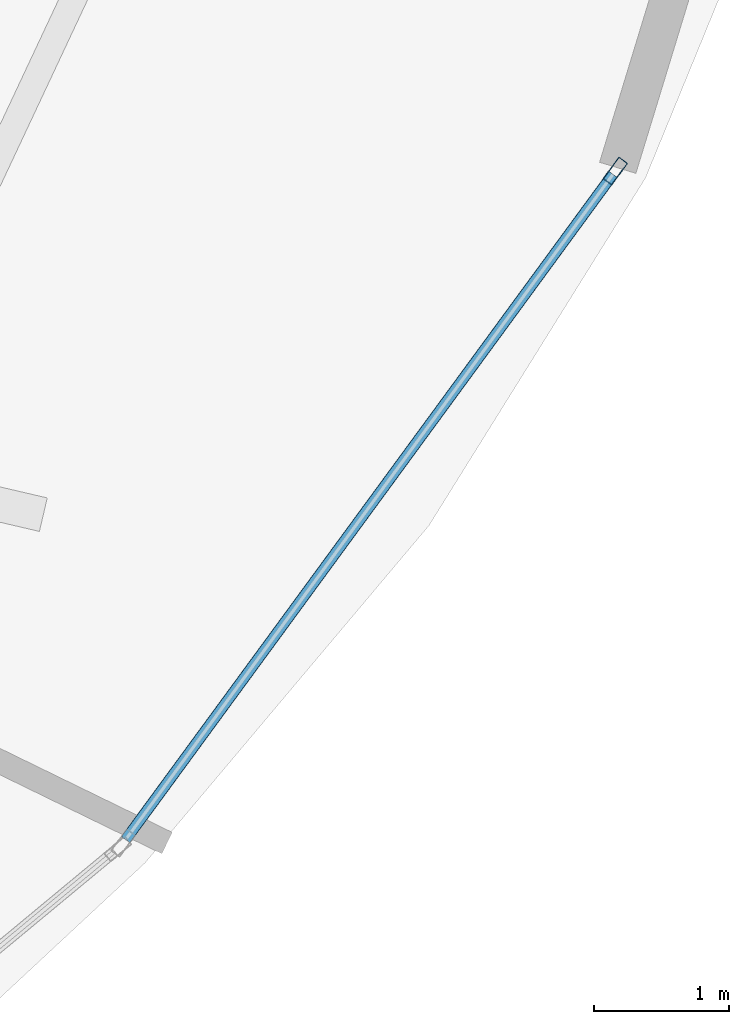
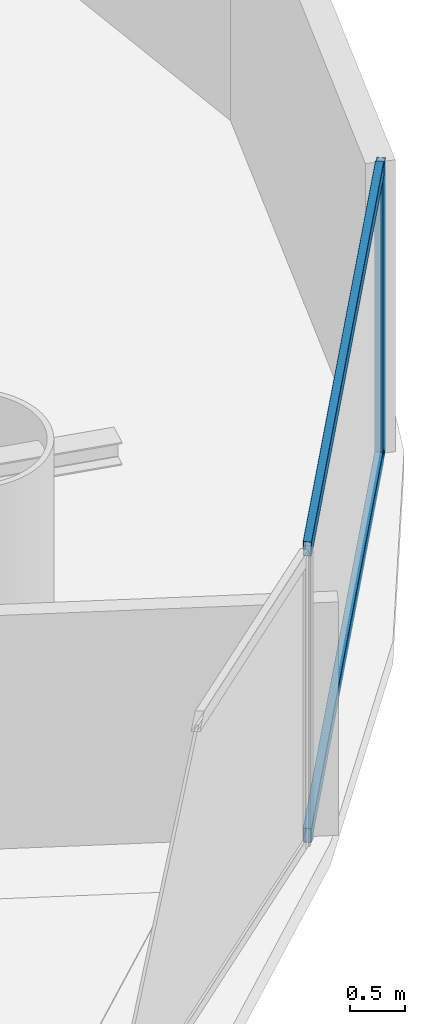
# One storey, part 8 of 20: 3 members, 1 element without a shape of its own.
"""IFC4 building model written with IfcOpenShell, lengths in metres."""

import ifcopenshell
import ifcopenshell.guid

model = None  # the IFC model being written
_history = None  # IfcOwnerHistory: only IFC2X3 demands one
_inside = {}  # id of a spatial element -> (the spatial element, [elements in it])
_under = {}  # id of a project, library or spatial element -> (it, [spatial elements below it])
_declared = {}  # id of a project -> (the project, [libraries it declares])
_typed = {}  # id of a type object -> (the type object, [elements of that type])
_made_of = {}  # id of a material, layer set ... -> (it, [elements and type objects made of it])


def new_model(schema):
    """Start an empty IFC model of exactly this schema.

    Asked for "IFC4X3", IfcOpenShell would pick the latest addendum, in which some entities
    have other attributes; the version numbers below select the first issue.
    IFC2X3 requires an IfcOwnerHistory on every rooted entity: one is made here for all.
    """
    global model, _history
    if schema == "IFC4X3":
        model = ifcopenshell.file(schema_version=(4, 3, 0, 0))
    else:
        model = ifcopenshell.file(schema=schema)
    _inside.clear()
    _under.clear()
    _declared.clear()
    _typed.clear()
    _made_of.clear()
    _history = None
    if model.schema == "IFC2X3":
        org = make("IfcOrganization", Name="unknown")
        user = make(
            "IfcPersonAndOrganization",
            ThePerson=make("IfcPerson", FamilyName="unknown"),
            TheOrganization=org,
        )
        app = make(
            "IfcApplication",
            ApplicationDeveloper=org,
            Version="unknown",
            ApplicationFullName="unknown",
            ApplicationIdentifier="unknown",
        )
        _history = make(
            "IfcOwnerHistory",
            OwningUser=user,
            OwningApplication=app,
            ChangeAction="ADDED",
            CreationDate=0,
        )
    return model


def make(cls, **values):
    """One entity of the class cls with the attributes given. An attribute that is None is left unset."""
    return model.create_entity(
        cls, **{name: value for name, value in values.items() if value is not None}
    )


def rooted(cls, **values):
    """An entity with a GlobalId (a new one), such as an element, a storey or a relation."""
    return make(cls, GlobalId=ifcopenshell.guid.new(), OwnerHistory=_history, **values)


def si_unit(unit_type, name, prefix=None):
    """IfcSIUnit, for example si_unit("LENGTHUNIT", "METRE", prefix="MILLI")."""
    return make("IfcSIUnit", UnitType=unit_type, Prefix=prefix, Name=name)


def assignment(units):
    """IfcUnitAssignment: the units of a project."""
    return None if units is None else make("IfcUnitAssignment", Units=units)


def point(xyz):
    """IfcCartesianPoint."""
    return None if xyz is None else make("IfcCartesianPoint", Coordinates=xyz)


def direction(xyz):
    """IfcDirection."""
    return None if xyz is None else make("IfcDirection", DirectionRatios=xyz)


def frame(location, z_axis=None, x_axis=None):
    """IfcAxis2Placement3D, a coordinate frame: its origin and axes. An axis left out is left unset."""
    return make(
        "IfcAxis2Placement3D",
        Location=point(location),
        Axis=direction(z_axis),
        RefDirection=direction(x_axis),
    )


def frame_2d(location, x_axis=None):
    """IfcAxis2Placement2D, a coordinate frame in the plane: its origin and x axis."""
    return make(
        "IfcAxis2Placement2D", Location=point(location), RefDirection=direction(x_axis)
    )


def origin():
    """The frame at (0, 0, 0) with its axes left unset."""
    return frame((0.0, 0.0, 0.0))


def origin_2d():
    """The frame at (0, 0) in the plane with its x axis left unset."""
    return frame_2d((0.0, 0.0))


def place(relative_to, where):
    """IfcLocalPlacement: puts the frame where relative to a parent placement (None: the world)."""
    return make(
        "IfcLocalPlacement", PlacementRelTo=relative_to, RelativePlacement=where
    )


def context(
    kind, dimensions, precision=None, world=None, true_north=None, identifier=None
):
    """IfcGeometricRepresentationContext, for example the 3D "Model" context."""
    return make(
        "IfcGeometricRepresentationContext",
        ContextIdentifier=identifier,
        ContextType=kind,
        CoordinateSpaceDimension=dimensions,
        Precision=precision,
        WorldCoordinateSystem=world,
        TrueNorth=true_north,
    )


def subcontext(parent, identifier, kind, view, scale=None):
    """IfcGeometricRepresentationSubContext, for example "Body" below "Model"."""
    return make(
        "IfcGeometricRepresentationSubContext",
        ContextIdentifier=identifier,
        ContextType=kind,
        ParentContext=parent,
        TargetScale=scale,
        TargetView=view,
    )


def project(units=None, contexts=None):
    """IfcProject with its units and contexts."""
    return rooted(
        "IfcProject",
        Name="project",
        RepresentationContexts=contexts,
        UnitsInContext=assignment(units),
    )


def spatial(cls, under=None, at=None, **own):
    """A site, building, storey or space (cls), placed at a placement, below another one or the project."""
    s = rooted(cls, ObjectPlacement=at, **own)
    if under is not None:
        _under.setdefault(under.id(), (under, []))[1].append(s)
    return s


def profile(cls, at=None, kind="AREA", **sizes):
    """A parametric profile (cls). Its sizes go by their IFC names, for example OverallWidth=200.0."""
    return make(cls, ProfileType=kind, Position=at, **sizes)


def hollow_rectangle(**sizes):
    """IfcRectangleHollowProfileDef."""
    return profile("IfcRectangleHollowProfileDef", **sizes)


def extrude(swept, where, along, depth):
    """IfcExtrudedAreaSolid: the profile swept, set in the frame where, extruded along a direction by depth."""
    return make(
        "IfcExtrudedAreaSolid",
        SweptArea=swept,
        Position=where,
        ExtrudedDirection=direction(along),
        Depth=depth,
    )


def shape(context_of_items, identifier, shape_type, items):
    """IfcShapeRepresentation: the items that make up one representation, for example the "Body"."""
    return make(
        "IfcShapeRepresentation",
        ContextOfItems=context_of_items,
        RepresentationIdentifier=identifier,
        RepresentationType=shape_type,
        Items=items,
    )


def material(Name=None, Category=None):
    """IfcMaterial."""
    return make("IfcMaterial", Name=Name, Category=Category)


def layer(
    of_material, thickness, ventilated=None, Name=None, Category=None, Priority=None
):
    """IfcMaterialLayer: one layer of a wall or slab, of a material (None: an air gap)."""
    return make(
        "IfcMaterialLayer",
        Material=of_material,
        LayerThickness=thickness,
        IsVentilated=ventilated,
        Name=Name,
        Category=Category,
        Priority=Priority,
    )


def layer_set(layers, Name=None):
    """IfcMaterialLayerSet."""
    return make("IfcMaterialLayerSet", MaterialLayers=layers, LayerSetName=Name)


def material_profile(
    of_material, cross_section, Name=None, Category=None, Priority=None
):
    """IfcMaterialProfile: a cross section and its material."""
    return make(
        "IfcMaterialProfile",
        Name=Name,
        Material=of_material,
        Profile=cross_section,
        Priority=Priority,
        Category=Category,
    )


def profile_set(profiles, Name=None, composite=None):
    """IfcMaterialProfileSet."""
    return make(
        "IfcMaterialProfileSet",
        Name=Name,
        MaterialProfiles=profiles,
        CompositeProfile=composite,
    )


def made_of(thing, what):
    """Note that an element or type object is made of a material, layer set ...; save() writes the relation."""
    if what is not None:
        _made_of.setdefault(what.id(), (what, []))[1].append(thing)
    return thing


def type_object(cls, material=None, **own):
    """A type object (cls), such as IfcWallType, which elements share."""
    return made_of(rooted(cls, **own), material)


def element(
    cls,
    number,
    at=None,
    inside=None,
    cuts=None,
    type_object=None,
    material=None,
    context=None,
    identifier="Body",
    shape_type=None,
    held_by="IfcProductDefinitionShape",
    body=None,
    shapes=None,
    **own,
):
    """One element of the class cls, such as IfcWall. Its Tag is "e" and its number.

    at: its placement. inside: the storey or other place that contains it. cuts: it is an
    opening in that element (IfcRelVoidsElement). A single representation is given by context,
    identifier, shape_type and body (its items); several are given by shapes. held_by: the class
    of the entity that holds the representations. save() writes the other relations.
    """
    e = rooted(cls, Tag="e%d" % number, ObjectPlacement=at, **own)
    if body is not None:
        shapes = [shape(context, identifier, shape_type, body)]
    if shapes is not None:
        e.Representation = make(held_by, Representations=shapes)
    if inside is not None:
        _inside.setdefault(inside.id(), (inside, []))[1].append(e)
    if cuts is not None:
        rooted(
            "IfcRelVoidsElement", RelatingBuildingElement=cuts, RelatedOpeningElement=e
        )
    if type_object is not None:
        _typed.setdefault(type_object.id(), (type_object, []))[1].append(e)
    return made_of(e, material)


def aggregate(whole, parts):
    """IfcRelAggregates: a whole, such as a stair, and the parts it consists of."""
    return rooted("IfcRelAggregates", RelatingObject=whole, RelatedObjects=parts)


def save(model, path):
    """Write the relations noted so far, then the file.

    IfcRelAggregates (storeys below a building ...), IfcRelContainedInSpatialStructure (elements
    in a storey), IfcRelDefinesByType, IfcRelAssociatesMaterial and IfcRelDeclares: one each for
    every whole, place, type object, material and project.
    """
    for whole, parts in _under.values():
        aggregate(whole, parts)
    for where, things in _inside.values():
        rooted(
            "IfcRelContainedInSpatialStructure",
            RelatedElements=things,
            RelatingStructure=where,
        )
    for kind, things in _typed.values():
        rooted("IfcRelDefinesByType", RelatedObjects=things, RelatingType=kind)
    for what, things in _made_of.values():
        rooted("IfcRelAssociatesMaterial", RelatedObjects=things, RelatingMaterial=what)
    for by, libraries in _declared.values():
        rooted("IfcRelDeclares", RelatingContext=by, RelatedDefinitions=libraries)
    model.write(path)


model = new_model("IFC4")

# Units and contexts
model_context = context("Model", 3, precision=1e-05, world=origin(), true_north=direction((0.0, 1.0)))
body_context = subcontext(model_context, "Body", "Model", "MODEL_VIEW")
ifc_project = project(units=[si_unit("LENGTHUNIT", "METRE"), si_unit("AREAUNIT", "SQUARE_METRE"), si_unit("VOLUMEUNIT", "CUBIC_METRE"), si_unit("PLANEANGLEUNIT", "RADIAN"), si_unit("MASSUNIT", "GRAM", prefix="KILO")], contexts=[model_context])

# Site, building, storey
site_placement = place(None, origin())
site = spatial("IfcSite", under=ifc_project, at=site_placement, CompositionType="ELEMENT")
building_placement = place(site_placement, origin())
building = spatial("IfcBuilding", under=site, at=building_placement, Name="Bramvorn Convention Spire", CompositionType="ELEMENT")
storey_placement = place(building_placement, frame((0.0, 0.0, 58.89990234375)))
storey = spatial("IfcBuildingStorey", under=building, at=storey_placement, Name="L12", CompositionType="ELEMENT", Elevation=58.89990234375)

# Curtain wall, members
ifc_material_1 = material(Name="Anodised Bronze Unitised Curtain Wall", Category="aluminium")
ifc_layer = layer(ifc_material_1, 0.179931640625)
ifc_layer_set = layer_set([ifc_layer], Name="Anodised Bronze Unitised Curtain Wall - CW-HTL-FRIT")
curtain_wall_type = type_object("IfcCurtainWallType", Name="CW-HTL-FRIT", PredefinedType="USERDEFINED", material=ifc_layer_set)
curtain_wall_placement = place(storey_placement, origin())
curtain_wall = element("IfcCurtainWall", 1, at=curtain_wall_placement, inside=storey, type_object=curtain_wall_type, Name="L12 fritted glass curtain wall 23", ObjectType="UNITISED CURTAIN WALL", PredefinedType="USERDEFINED")
ifc_material_2 = material(Name="Anodised Bronze Aluminium 6063-T6", Category="aluminium")
ifc_material_profile_1 = material_profile(ifc_material_2, hollow_rectangle(XDim=0.080078125, YDim=0.199951171875, WallThickness=0.00390625, InnerFilletRadius=0.0009765625, OuterFilletRadius=0.00390625, at=origin_2d()))
ifc_profile_set_1 = profile_set([ifc_material_profile_1], Name="Anodised Bronze Aluminium 6063-T6 - CWM80X200")
member_type_1 = type_object("IfcMemberType", Name="CW-MUL-180", PredefinedType="MULLION", material=ifc_profile_set_1)
member_1_placement = place(storey_placement, frame((68.993896484375, 17.462646484375, 0.0), z_axis=(0.0, 0.0, 1.0), x_axis=(0.806748260257, -0.5908952907, 0.0)))
member_1 = element("IfcMember", 2, at=member_1_placement, type_object=member_type_1, Name="CW2 mullion 1", PredefinedType="MULLION", context=body_context, shape_type="SweptSolid", body=[
    extrude(hollow_rectangle(XDim=0.080078125, YDim=0.199951171875, WallThickness=0.00390625, InnerFilletRadius=0.0009765625, OuterFilletRadius=0.00390625, at=origin_2d()), origin(), (0.0, 0.0, 1.0), 3.25),
])
ifc_material_profile_2 = material_profile(ifc_material_2, hollow_rectangle(XDim=0.080078125, YDim=0.159912109375, WallThickness=0.00390625, InnerFilletRadius=0.0009765625, OuterFilletRadius=0.00390625, at=origin_2d()))
ifc_profile_set_2 = profile_set([ifc_material_profile_2], Name="Anodised Bronze Aluminium 6063-T6 - CWT80X160")
member_type_2 = type_object("IfcMemberType", Name="CW-TRN-150", PredefinedType="USERDEFINED", material=ifc_profile_set_2)
member_2_placement = place(storey_placement, frame((68.976318359375, 17.4384765625, 0.030029296875), z_axis=(-0.590901433433, -0.806743761034, 0.0), x_axis=(0.806743761034, -0.590901433433, 0.0)))
member_2 = element("IfcMember", 3, at=member_2_placement, type_object=member_type_2, Name="CW2 transom 1.1", ObjectType="TRANSOM", PredefinedType="USERDEFINED", context=body_context, shape_type="SweptSolid", body=[
    extrude(hollow_rectangle(XDim=0.080078125, YDim=0.159912109375, WallThickness=0.00390625, InnerFilletRadius=0.0009765625, OuterFilletRadius=0.00390625, at=origin_2d()), origin(), (0.0, 0.0, 1.0), 6.092041015625),
])
member_3_placement = place(storey_placement, frame((68.976318359375, 17.4384765625, 3.22021484375), z_axis=(-0.590901433433, -0.806743761034, 0.0), x_axis=(0.806743761034, -0.590901433433, 0.0)))
member_3 = element("IfcMember", 4, at=member_3_placement, type_object=member_type_2, Name="CW2 transom 1.2", ObjectType="TRANSOM", PredefinedType="USERDEFINED", context=body_context, shape_type="SweptSolid", body=[
    extrude(hollow_rectangle(XDim=0.080078125, YDim=0.159912109375, WallThickness=0.00390625, InnerFilletRadius=0.0009765625, OuterFilletRadius=0.00390625, at=origin_2d()), origin(), (0.0, 0.0, 1.0), 6.092041015625),
])
aggregate(curtain_wall, [member_1, member_2, member_3])

save(model, "model.ifc")
